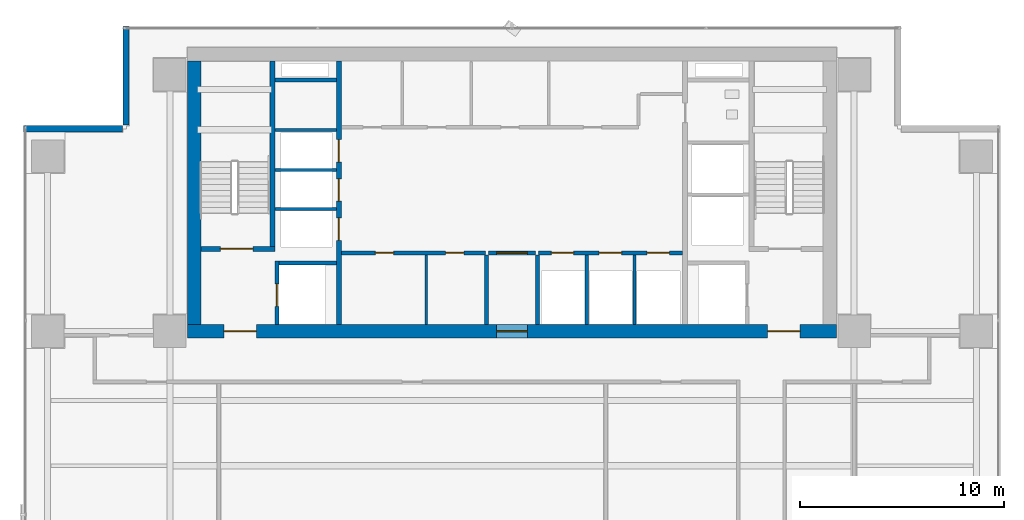
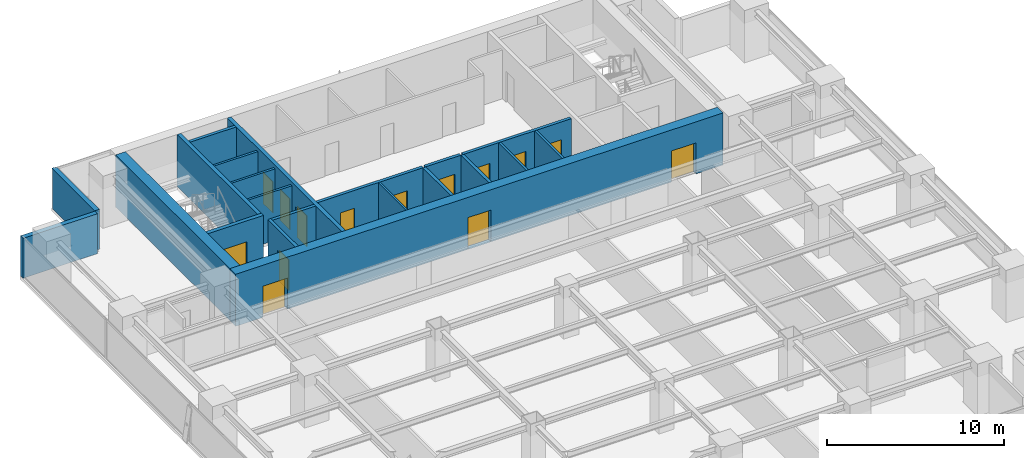
# One storey, part 21 of 27: 21 walls, 14 doors, 14 openings.
"""IFC4 building model written with IfcOpenShell, lengths in metres."""

from ifc_helpers import new_model, si_unit, direction, frame, frame_2d, origin, place, context, subcontext, project, spatial, rectangle, extrude, source, transform, mapped, material, layer, layer_set, type_object, element, fill, save


model = new_model("IFC4")

# Units and contexts
model_context = context("Model", 3, precision=1e-05, world=origin(), true_north=direction((0.0, 1.0)))
body_context = subcontext(model_context, "Body", "Model", "MODEL_VIEW")
ifc_project = project(units=[si_unit("LENGTHUNIT", "METRE"), si_unit("AREAUNIT", "SQUARE_METRE"), si_unit("VOLUMEUNIT", "CUBIC_METRE"), si_unit("PLANEANGLEUNIT", "RADIAN"), si_unit("MASSUNIT", "GRAM", prefix="KILO")], contexts=[model_context])

# Site, building, storey
site_placement = place(None, origin())
site = spatial("IfcSite", under=ifc_project, at=site_placement, CompositionType="ELEMENT")
building_placement = place(site_placement, origin())
building = spatial("IfcBuilding", under=site, at=building_placement, Name="Sumidabori Civic Tower", CompositionType="ELEMENT")
storey_placement = place(building_placement, frame((0.0, 0.0, 164.0)))
storey = spatial("IfcBuildingStorey", under=building, at=storey_placement, Name="L42", CompositionType="ELEMENT", Elevation=164.0)

# Walls
ifc_material_1 = material(Name="Concrete C50/60", Category="concrete")
ifc_layer_1 = layer(ifc_material_1, 0.199951171875, Name="Concrete C50/60")
ifc_layer_set_1 = layer_set([ifc_layer_1], Name="Concrete C50/60")
wall_type_1 = type_object("IfcWallType", Name="WL-SHAFT-200", PredefinedType="SHEAR", material=ifc_layer_set_1)
shared_shape_1 = source(origin(), body_context, "Body", "SweptSolid", [
    extrude(rectangle(XDim=2.824951171875, YDim=0.199951171875, at=frame_2d((1.41259765625, 0.0))), origin(), (0.0, 0.0, 1.0), 3.60009765625),
])
wall_1_placement = place(storey_placement, frame((-11.449951171875, 13.550048828125, 0.0), z_axis=(0.0, 0.0, 1.0), x_axis=(1.0, 0.0, 0.0)))
element("IfcWall", 1, at=wall_1_placement, inside=storey, type_object=wall_type_1, Name="Core Shear Wall L42 EL1-N", PredefinedType="SHEAR", context=body_context, shape_type="MappedRepresentation", body=[
    mapped(shared_shape_1, transform((0.0, 0.0, 0.0), x_axis=(1.0, 0.0, 0.0), y_axis=(0.0, 1.0, 0.0), z_axis=(0.0, 0.0, 1.0), scale=1.0)),
])
shared_shape_2 = source(origin(), body_context, "Body", "SweptSolid", [
    extrude(rectangle(XDim=3.02001953125, YDim=0.199951171875, at=frame_2d((1.510009765625, 0.0))), origin(), (0.0, 0.0, 1.0), 3.60009765625),
])
wall_2_placement = place(storey_placement, frame((-11.64501953125, 22.550048828125, 0.0), z_axis=(0.0, 0.0, 1.0), x_axis=(1.0, 0.0, 0.0)))
element("IfcWall", 2, at=wall_2_placement, inside=storey, type_object=wall_type_1, Name="Core Shear Wall L42 RIS1-S", PredefinedType="SHEAR", context=body_context, shape_type="MappedRepresentation", body=[
    mapped(shared_shape_2, transform((0.0, 0.0, 0.0), x_axis=(1.0, 0.0, 0.0), y_axis=(0.0, 1.0, 0.0), z_axis=(0.0, 0.0, 1.0), scale=1.0)),
])

# Wall, openings, doors
ifc_material_2 = material(Name="Concrete C60/75", Category="concrete")
ifc_layer_2 = layer(ifc_material_2, 0.64990234375, Name="Concrete C60/75")
ifc_layer_set_2 = layer_set([ifc_layer_2], Name="Concrete C60/75")
wall_type_2 = type_object("IfcWallType", Name="WL-CORE-650", PredefinedType="SHEAR", material=ifc_layer_set_2)
shared_shape_3 = source(origin(), body_context, "Body", "SweptSolid", [
    extrude(rectangle(XDim=31.85009765625, YDim=0.64990234375, at=frame_2d((15.925048828125, 0.0))), origin(), (0.0, 0.0, 1.0), 3.60009765625),
])
wall_3_placement = place(storey_placement, frame((-15.925048828125, 10.199951171875, 0.0), z_axis=(0.0, 0.0, 1.0), x_axis=(1.0, 0.0, 0.0)))
wall_3 = element("IfcWall", 3, at=wall_3_placement, inside=storey, type_object=wall_type_2, Name="Core Shear Wall L42 S", PredefinedType="SHEAR", context=body_context, shape_type="MappedRepresentation", body=[
    mapped(shared_shape_3, transform((0.0, 0.0, 0.0), x_axis=(1.0, 0.0, 0.0), y_axis=(0.0, 1.0, 0.0), z_axis=(0.0, 0.0, 1.0), scale=1.0)),
])
opening_1_placement = place(wall_3_placement, frame((1.77490234375, 0.0, 0.0)))
opening_1 = element("IfcOpeningElement", 4, at=opening_1_placement, cuts=wall_3, Name="Opening DR-FD4", PredefinedType="OPENING", context=body_context, shape_type="SweptSolid", body=[
    extrude(rectangle(XDim=1.60009765625, YDim=2.14990234375, at=frame_2d((0.800048828125, 1.074951171875))), frame((0.0, 0.3369140625, 0.0), z_axis=(0.0, -1.0, 0.0), x_axis=(1.0, 0.0, 0.0)), (0.0, 0.0, 1.0), 0.673828125),
])
opening_2_placement = place(wall_3_placement, frame((28.47509765625, 0.0, 0.0)))
opening_2 = element("IfcOpeningElement", 5, at=opening_2_placement, cuts=wall_3, Name="Opening DR-FD4", PredefinedType="OPENING", context=body_context, shape_type="SweptSolid", body=[
    extrude(rectangle(XDim=1.60009765625, YDim=2.14990234375, at=frame_2d((0.800048828125, 1.074951171875))), frame((0.0, 0.3369140625, 0.0), z_axis=(0.0, -1.0, 0.0), x_axis=(1.0, 0.0, 0.0)), (0.0, 0.0, 1.0), 0.673828125),
])
opening_3_placement = place(wall_3_placement, frame((15.175048828125, 0.0, 0.0)))
opening_3 = element("IfcOpeningElement", 6, at=opening_3_placement, cuts=wall_3, Name="Opening DR-FD3", PredefinedType="OPENING", context=body_context, shape_type="SweptSolid", body=[
    extrude(rectangle(XDim=1.5, YDim=2.199951171875, at=frame_2d((0.75, 1.10009765625))), frame((0.0, 0.3369140625, 0.0), z_axis=(0.0, -1.0, 0.0), x_axis=(1.0, 0.0, 0.0)), (0.0, 0.0, 1.0), 0.673828125),
])
ifc_material_3 = material(Name="Steel SN490", Category="steel")
door_type_1 = type_object("IfcDoorType", Name="DR-FD4", OperationType="DOUBLE_DOOR_SINGLE_SWING", PredefinedType="DOOR", material=ifc_material_3)
shared_shape_4 = source(origin(), body_context, "Body", "SweptSolid", [
    extrude(rectangle(XDim=1.60009765625, YDim=2.14990234375, at=frame_2d((0.800048828125, 1.074951171875))), frame((0.0, 0.02490234375, 0.0), z_axis=(0.0, -1.0, 0.0), x_axis=(1.0, 0.0, 0.0)), (0.0, 0.0, 1.0), 0.050048828125),
])
door_1_placement = place(opening_1_placement, origin())
door_1 = element("IfcDoor", 7, at=door_1_placement, inside=storey, type_object=door_type_1, Name="Door DR:L42:ELOB-W", OperationType="DOUBLE_DOOR_SINGLE_SWING", OverallHeight=2.14990234375, OverallWidth=1.60009765625, PredefinedType="DOOR", context=body_context, shape_type="MappedRepresentation", body=[
    mapped(shared_shape_4, transform((0.0, 0.0, 0.0), x_axis=(1.0, 0.0, 0.0), y_axis=(0.0, 1.0, 0.0), z_axis=(0.0, 0.0, 1.0), scale=1.0)),
])
fill(opening_1, door_1)
door_2_placement = place(opening_2_placement, origin())
door_2 = element("IfcDoor", 8, at=door_2_placement, inside=storey, type_object=door_type_1, Name="Door DR:L42:ELOB-E", OperationType="DOUBLE_DOOR_SINGLE_SWING", OverallHeight=2.14990234375, OverallWidth=1.60009765625, PredefinedType="DOOR", context=body_context, shape_type="MappedRepresentation", body=[
    mapped(shared_shape_4, transform((0.0, 0.0, 0.0), x_axis=(1.0, 0.0, 0.0), y_axis=(0.0, 1.0, 0.0), z_axis=(0.0, 0.0, 1.0), scale=1.0)),
])
fill(opening_2, door_2)
door_type_2 = type_object("IfcDoorType", Name="DR-FD-DBL", OperationType="DOUBLE_DOOR_SINGLE_SWING", PredefinedType="DOOR", material=ifc_material_3)
shared_shape_5 = source(origin(), body_context, "Body", "SweptSolid", [
    extrude(rectangle(XDim=1.5, YDim=2.199951171875, at=frame_2d((0.75, 1.10009765625))), frame((0.0, 0.02490234375, 0.0), z_axis=(0.0, -1.0, 0.0), x_axis=(1.0, 0.0, 0.0)), (0.0, 0.0, 1.0), 0.050048828125),
])
door_3_placement = place(opening_3_placement, origin())
door_3 = element("IfcDoor", 9, at=door_3_placement, inside=storey, type_object=door_type_2, Name="Door DR:L42:THROAT-OUT", OperationType="DOUBLE_DOOR_SINGLE_SWING", OverallHeight=2.199951171875, OverallWidth=1.5, PredefinedType="DOOR", context=body_context, shape_type="MappedRepresentation", body=[
    mapped(shared_shape_5, transform((0.0, 0.0, 0.0), x_axis=(1.0, 0.0, 0.0), y_axis=(0.0, 1.0, 0.0), z_axis=(0.0, 0.0, 1.0), scale=1.0)),
])
fill(opening_3, door_3)

# Wall
shared_shape_6 = source(origin(), body_context, "Body", "SweptSolid", [
    extrude(rectangle(XDim=12.9501953125, YDim=0.64990234375, at=frame_2d((6.47509765625, 0.0))), origin(), (0.0, 0.0, 1.0), 3.60009765625),
])
wall_4_placement = place(storey_placement, frame((-15.60009765625, 10.52490234375, 0.0), z_axis=(0.0, 0.0, 1.0), x_axis=(0.0, 1.0, 0.0)))
element("IfcWall", 10, at=wall_4_placement, inside=storey, type_object=wall_type_2, Name="Core Shear Wall L42 W", PredefinedType="SHEAR", context=body_context, shape_type="MappedRepresentation", body=[
    mapped(shared_shape_6, transform((0.0, 0.0, 0.0), x_axis=(1.0, 0.0, 0.0), y_axis=(0.0, 1.0, 0.0), z_axis=(0.0, 0.0, 1.0), scale=1.0)),
])

# Wall, openings, doors
ifc_layer_3 = layer(ifc_material_1, 0.25, Name="Concrete C50/60")
ifc_layer_set_3 = layer_set([ifc_layer_3], Name="Concrete C50/60")
wall_type_3 = type_object("IfcWallType", Name="WL-SHAFT-250", PredefinedType="SHEAR", material=ifc_layer_set_3)
shared_shape_7 = source(origin(), body_context, "Body", "SweptSolid", [
    extrude(rectangle(XDim=12.9501953125, YDim=0.25, at=frame_2d((6.47509765625, 0.0))), origin(), (0.0, 0.0, 1.0), 3.60009765625),
])
wall_5_placement = place(storey_placement, frame((-8.5, 10.52490234375, 0.0), z_axis=(0.0, 0.0, 1.0), x_axis=(0.0, 1.0, 0.0)))
wall_5 = element("IfcWall", 11, at=wall_5_placement, inside=storey, type_object=wall_type_3, Name="Core Shear Wall L42 WEB-W", PredefinedType="SHEAR", context=body_context, shape_type="MappedRepresentation", body=[
    mapped(shared_shape_7, transform((0.0, 0.0, 0.0), x_axis=(1.0, 0.0, 0.0), y_axis=(0.0, 1.0, 0.0), z_axis=(0.0, 0.0, 1.0), scale=1.0)),
])
opening_4_placement = place(wall_5_placement, frame((4.14501953125, 0.0, 0.0)))
opening_4 = element("IfcOpeningElement", 12, at=opening_4_placement, cuts=wall_5, Name="Opening LD-1", PredefinedType="OPENING", context=body_context, shape_type="SweptSolid", body=[
    extrude(rectangle(XDim=1.10009765625, YDim=2.14990234375, at=frame_2d((0.550048828125, 1.074951171875))), frame((0.0, 0.136962890625, 0.0), z_axis=(0.0, -1.0, 0.0), x_axis=(1.0, 0.0, 0.0)), (0.0, 0.0, 1.0), 0.27392578125),
])
opening_5_placement = place(wall_5_placement, frame((6.06494140625, 0.0, 0.0)))
opening_5 = element("IfcOpeningElement", 13, at=opening_5_placement, cuts=wall_5, Name="Opening LD-1", PredefinedType="OPENING", context=body_context, shape_type="SweptSolid", body=[
    extrude(rectangle(XDim=1.10009765625, YDim=2.14990234375, at=frame_2d((0.550048828125, 1.074951171875))), frame((0.0, 0.136962890625, 0.0), z_axis=(0.0, -1.0, 0.0), x_axis=(1.0, 0.0, 0.0)), (0.0, 0.0, 1.0), 0.27392578125),
])
opening_6_placement = place(wall_5_placement, frame((7.985107421875, 0.0, 0.0)))
opening_6 = element("IfcOpeningElement", 14, at=opening_6_placement, cuts=wall_5, Name="Opening LD-1", PredefinedType="OPENING", context=body_context, shape_type="SweptSolid", body=[
    extrude(rectangle(XDim=1.10009765625, YDim=2.14990234375, at=frame_2d((0.550048828125, 1.074951171875))), frame((0.0, 0.136962890625, 0.0), z_axis=(0.0, -1.0, 0.0), x_axis=(1.0, 0.0, 0.0)), (0.0, 0.0, 1.0), 0.27392578125),
])
ifc_material_4 = material(Name="Stainless Steel Hairline Finish", Category="steel")
door_type_3 = type_object("IfcDoorType", Name="DR-LD1", OperationType="DOUBLE_DOOR_SLIDING", PredefinedType="DOOR", material=ifc_material_4)
shared_shape_8 = source(origin(), body_context, "Body", "SweptSolid", [
    extrude(rectangle(XDim=1.10009765625, YDim=2.14990234375, at=frame_2d((0.550048828125, 1.074951171875))), frame((0.0, 0.02490234375, 0.0), z_axis=(0.0, -1.0, 0.0), x_axis=(1.0, 0.0, 0.0)), (0.0, 0.0, 1.0), 0.050048828125),
])
door_4_placement = place(opening_4_placement, origin())
door_4 = element("IfcDoor", 15, at=door_4_placement, inside=storey, type_object=door_type_3, Name="Door DR:L42:LD-PLH1", OperationType="DOUBLE_DOOR_SLIDING", OverallHeight=2.14990234375, OverallWidth=1.10009765625, PredefinedType="DOOR", context=body_context, shape_type="MappedRepresentation", body=[
    mapped(shared_shape_8, transform((0.0, 0.0, 0.0), x_axis=(1.0, 0.0, 0.0), y_axis=(0.0, 1.0, 0.0), z_axis=(0.0, 0.0, 1.0), scale=1.0)),
])
fill(opening_4, door_4)
door_5_placement = place(opening_5_placement, origin())
door_5 = element("IfcDoor", 16, at=door_5_placement, inside=storey, type_object=door_type_3, Name="Door DR:L42:LD-PLH2", OperationType="DOUBLE_DOOR_SLIDING", OverallHeight=2.14990234375, OverallWidth=1.10009765625, PredefinedType="DOOR", context=body_context, shape_type="MappedRepresentation", body=[
    mapped(shared_shape_8, transform((0.0, 0.0, 0.0), x_axis=(1.0, 0.0, 0.0), y_axis=(0.0, 1.0, 0.0), z_axis=(0.0, 0.0, 1.0), scale=1.0)),
])
fill(opening_5, door_5)
door_6_placement = place(opening_6_placement, origin())
door_6 = element("IfcDoor", 17, at=door_6_placement, inside=storey, type_object=door_type_3, Name="Door DR:L42:LD-PLH3", OperationType="DOUBLE_DOOR_SLIDING", OverallHeight=2.14990234375, OverallWidth=1.10009765625, PredefinedType="DOOR", context=body_context, shape_type="MappedRepresentation", body=[
    mapped(shared_shape_8, transform((0.0, 0.0, 0.0), x_axis=(1.0, 0.0, 0.0), y_axis=(0.0, 1.0, 0.0), z_axis=(0.0, 0.0, 1.0), scale=1.0)),
])
fill(opening_6, door_6)

# Wall, opening, door
shared_shape_9 = source(origin(), body_context, "Body", "SweptSolid", [
    extrude(rectangle(XDim=3.6298828125, YDim=0.25, at=frame_2d((1.81494140625, 0.0))), origin(), (0.0, 0.0, 1.0), 3.60009765625),
])
wall_6_placement = place(storey_placement, frame((-15.27490234375, 14.25, 0.0), z_axis=(0.0, 0.0, 1.0), x_axis=(1.0, 0.0, 0.0)))
wall_6 = element("IfcWall", 18, at=wall_6_placement, inside=storey, type_object=wall_type_3, Name="Core Shear Wall L42 ST1-S", PredefinedType="SHEAR", context=body_context, shape_type="MappedRepresentation", body=[
    mapped(shared_shape_9, transform((0.0, 0.0, 0.0), x_axis=(1.0, 0.0, 0.0), y_axis=(0.0, 1.0, 0.0), z_axis=(0.0, 0.0, 1.0), scale=1.0)),
])
opening_7_placement = place(wall_6_placement, frame((0.949951171875, 0.0, 0.0)))
opening_7 = element("IfcOpeningElement", 19, at=opening_7_placement, cuts=wall_6, Name="Opening DR-FD4", PredefinedType="OPENING", context=body_context, shape_type="SweptSolid", body=[
    extrude(rectangle(XDim=1.60009765625, YDim=2.14990234375, at=frame_2d((0.800048828125, 1.074951171875))), frame((0.0, 0.136962890625, 0.0), z_axis=(0.0, -1.0, 0.0), x_axis=(1.0, 0.0, 0.0)), (0.0, 0.0, 1.0), 0.27392578125),
])
door_7_placement = place(opening_7_placement, origin())
door_7 = element("IfcDoor", 20, at=door_7_placement, inside=storey, type_object=door_type_1, Name="Door DR:L42:ST1", OperationType="DOUBLE_DOOR_SINGLE_SWING", OverallHeight=2.14990234375, OverallWidth=1.60009765625, PredefinedType="DOOR", context=body_context, shape_type="MappedRepresentation", body=[
    mapped(shared_shape_4, transform((0.0, 0.0, 0.0), x_axis=(1.0, 0.0, 0.0), y_axis=(0.0, 1.0, 0.0), z_axis=(0.0, 0.0, 1.0), scale=1.0)),
])
fill(opening_7, door_7)

# Wall
shared_shape_10 = source(origin(), body_context, "Body", "SweptSolid", [
    extrude(rectangle(XDim=9.10009765625, YDim=0.25, at=frame_2d((4.550048828125, 0.0))), origin(), (0.0, 0.0, 1.0), 3.60009765625),
])
wall_7_placement = place(storey_placement, frame((-11.77001953125, 14.375, 0.0), z_axis=(0.0, 0.0, 1.0), x_axis=(0.0, 1.0, 0.0)))
element("IfcWall", 21, at=wall_7_placement, inside=storey, type_object=wall_type_3, Name="Core Shear Wall L42 ST1-E", PredefinedType="SHEAR", context=body_context, shape_type="MappedRepresentation", body=[
    mapped(shared_shape_10, transform((0.0, 0.0, 0.0), x_axis=(1.0, 0.0, 0.0), y_axis=(0.0, 1.0, 0.0), z_axis=(0.0, 0.0, 1.0), scale=1.0)),
])

# Wall, opening, door
shared_shape_11 = source(origin(), body_context, "Body", "SweptSolid", [
    extrude(rectangle(XDim=3.125, YDim=0.199951171875, at=frame_2d((1.5625, 0.0))), origin(), (0.0, 0.0, 1.0), 3.60009765625),
])
wall_8_placement = place(storey_placement, frame((-11.550048828125, 10.52490234375, 0.0), z_axis=(0.0, 0.0, 1.0), x_axis=(0.0, 1.0, 0.0)))
wall_8 = element("IfcWall", 22, at=wall_8_placement, inside=storey, type_object=wall_type_1, Name="Core Shear Wall L42 EL1-W", PredefinedType="SHEAR", context=body_context, shape_type="MappedRepresentation", body=[
    mapped(shared_shape_11, transform((0.0, 0.0, 0.0), x_axis=(1.0, 0.0, 0.0), y_axis=(0.0, 1.0, 0.0), z_axis=(0.0, 0.0, 1.0), scale=1.0)),
])
opening_8_placement = place(wall_8_placement, frame((0.89990234375, 0.0, 0.0)))
opening_8 = element("IfcOpeningElement", 23, at=opening_8_placement, cuts=wall_8, Name="Opening LD-2", PredefinedType="OPENING", context=body_context, shape_type="SweptSolid", body=[
    extrude(rectangle(XDim=1.10009765625, YDim=2.14990234375, at=frame_2d((0.550048828125, 1.074951171875))), frame((0.0, 0.11181640625, 0.0), z_axis=(0.0, -1.0, 0.0), x_axis=(1.0, 0.0, 0.0)), (0.0, 0.0, 1.0), 0.223876953125),
])
door_type_4 = type_object("IfcDoorType", Name="DR-LD2", OperationType="DOUBLE_DOOR_SLIDING", PredefinedType="DOOR", material=ifc_material_4)
door_8_placement = place(opening_8_placement, origin())
door_8 = element("IfcDoor", 24, at=door_8_placement, inside=storey, type_object=door_type_4, Name="Door DR:L42:LD-EL1", OperationType="DOUBLE_DOOR_SLIDING", OverallHeight=2.14990234375, OverallWidth=1.10009765625, PredefinedType="DOOR", context=body_context, shape_type="MappedRepresentation", body=[
    mapped(shared_shape_8, transform((0.0, 0.0, 0.0), x_axis=(1.0, 0.0, 0.0), y_axis=(0.0, 1.0, 0.0), z_axis=(0.0, 0.0, 1.0), scale=1.0)),
])
fill(opening_8, door_8)

# Walls
ifc_material_5 = material(Name="Precast concrete C40/50", Category="concrete")
ifc_layer_4 = layer(ifc_material_5, 0.300048828125, Name="Precast concrete C40/50")
ifc_layer_set_4 = layer_set([ifc_layer_4], Name="Precast concrete C40/50")
wall_type_4 = type_object("IfcWallType", Name="WL-EXT-POD300", PredefinedType="STANDARD", material=ifc_layer_set_4)
shared_shape_12 = source(origin(), body_context, "Body", "SweptSolid", [
    extrude(rectangle(XDim=4.85986328125, YDim=0.300048828125, at=frame_2d((2.429931640625, 0.0))), origin(), (0.0, 0.0, 1.0), 2.760009765625),
])
for number, where, z_axis, x_axis, name in (
    (25, (-18.949951171875, 25.179931640625, 0.0), (0.0, 0.0, 1.0), (0.0, -1.0, 0.0), "Notched Corner Spandrel Band L42-08"),
    (26, (-19.1201171875, 20.14990234375, 0.0), (0.0, 0.0, 1.0), (-1.0, 0.0, 0.0), "Notched Corner Spandrel Band L42-09"),
):
    element("IfcWall", number, at=place(storey_placement, frame(where, z_axis=z_axis, x_axis=x_axis)), inside=storey, type_object=wall_type_4, Name=name, PredefinedType="STANDARD", context=body_context, shape_type="MappedRepresentation", body=[
        mapped(shared_shape_12, transform((0.0, 0.0, 0.0), x_axis=(1.0, 0.0, 0.0), y_axis=(0.0, 1.0, 0.0), z_axis=(0.0, 0.0, 1.0), scale=1.0)),
    ])
ifc_material_6 = material(Name="Gypsum Plasterboard Acoustic Partition")
ifc_layer_5 = layer(ifc_material_6, 0.14990234375, Name="Gypsum Plasterboard Acoustic Partition")
ifc_layer_set_5 = layer_set([ifc_layer_5], Name="Gypsum Plasterboard Acoustic Partition")
wall_type_5 = type_object("IfcWallType", Name="WL-PART-150", PredefinedType="PARTITIONING", material=ifc_layer_set_5)
shared_shape_13 = source(origin(), body_context, "Body", "SweptSolid", [
    extrude(rectangle(XDim=3.010009765625, YDim=0.14990234375, at=frame_2d((1.5048828125, 0.0))), origin(), (0.0, 0.0, 1.0), 3.3798828125),
])
for number, where, z_axis, x_axis, name in (
    (27, (-11.639892578125, 16.199951171875, 0.0), (0.0, 0.0, 1.0), (1.0, 0.0, 0.0), "Interior Partition WL:L42:DIV-PLH1"),
    (28, (-11.639892578125, 18.1201171875, 0.0), (0.0, 0.0, 1.0), (1.0, 0.0, 0.0), "Interior Partition WL:L42:DIV-PLH2"),
    (29, (-11.639892578125, 20.080078125, 0.0), (0.0, 0.0, 1.0), (1.0, 0.0, 0.0), "Interior Partition WL:L42:DIV-PLH3"),
):
    element("IfcWall", number, at=place(storey_placement, frame(where, z_axis=z_axis, x_axis=x_axis)), inside=storey, type_object=wall_type_5, Name=name, PredefinedType="PARTITIONING", context=body_context, shape_type="MappedRepresentation", body=[
        mapped(shared_shape_13, transform((0.0, 0.0, 0.0), x_axis=(1.0, 0.0, 0.0), y_axis=(0.0, 1.0, 0.0), z_axis=(0.0, 0.0, 1.0), scale=1.0)),
    ])

# Wall, openings, doors
ifc_material_7 = material(Name="Gypsum Plasterboard Fire Partition")
ifc_layer_6 = layer(ifc_material_7, 0.199951171875, Name="Gypsum Plasterboard Fire Partition")
ifc_layer_set_6 = layer_set([ifc_layer_6], Name="Gypsum Plasterboard Fire Partition")
wall_type_6 = type_object("IfcWallType", Name="WL-PART-FIRE", PredefinedType="PARTITIONING", material=ifc_layer_set_6)
shared_shape_14 = source(origin(), body_context, "Body", "SweptSolid", [
    extrude(rectangle(XDim=7.070068359375, YDim=0.199951171875, at=frame_2d((3.53515625, 0.0))), origin(), (0.0, 0.0, 1.0), 3.3798828125),
])
wall_9_placement = place(storey_placement, frame((-8.3701171875, 14.050048828125, 0.0), z_axis=(0.0, 0.0, 1.0), x_axis=(1.0, 0.0, 0.0)))
wall_9 = element("IfcWall", 30, at=wall_9_placement, inside=storey, type_object=wall_type_6, Name="Interior Partition WL:L42:CBAND-SW", PredefinedType="PARTITIONING", context=body_context, shape_type="MappedRepresentation", body=[
    mapped(shared_shape_14, transform((0.0, 0.0, 0.0), x_axis=(1.0, 0.0, 0.0), y_axis=(0.0, 1.0, 0.0), z_axis=(0.0, 0.0, 1.0), scale=1.0)),
])
opening_9_placement = place(wall_9_placement, frame((1.659912109375, 0.0, 0.0)))
opening_9 = element("IfcOpeningElement", 31, at=opening_9_placement, cuts=wall_9, Name="Opening DR-1", PredefinedType="OPENING", context=body_context, shape_type="SweptSolid", body=[
    extrude(rectangle(XDim=0.89990234375, YDim=2.14990234375, at=frame_2d((0.449951171875, 1.074951171875))), frame((0.0, 0.11181640625, 0.0), z_axis=(0.0, -1.0, 0.0), x_axis=(1.0, 0.0, 0.0)), (0.0, 0.0, 1.0), 0.223876953125),
])
opening_10_placement = place(wall_9_placement, frame((5.110107421875, 0.0, 0.0)))
opening_10 = element("IfcOpeningElement", 32, at=opening_10_placement, cuts=wall_9, Name="Opening DR-1", PredefinedType="OPENING", context=body_context, shape_type="SweptSolid", body=[
    extrude(rectangle(XDim=0.89990234375, YDim=2.14990234375, at=frame_2d((0.449951171875, 1.074951171875))), frame((0.0, 0.11181640625, 0.0), z_axis=(0.0, -1.0, 0.0), x_axis=(1.0, 0.0, 0.0)), (0.0, 0.0, 1.0), 0.223876953125),
])
ifc_material_8 = material(Name="Japanese Hinoki Timber", Category="wood")
door_type_5 = type_object("IfcDoorType", Name="DR-INT-900", OperationType="NOTDEFINED", PredefinedType="DOOR", material=ifc_material_8)
shared_shape_15 = source(origin(), body_context, "Body", "SweptSolid", [
    extrude(rectangle(XDim=0.89990234375, YDim=2.14990234375, at=frame_2d((0.449951171875, 1.074951171875))), frame((0.0, 0.02490234375, 0.0), z_axis=(0.0, -1.0, 0.0), x_axis=(1.0, 0.0, 0.0)), (0.0, 0.0, 1.0), 0.050048828125),
])
door_9_placement = place(opening_9_placement, origin())
door_9 = element("IfcDoor", 33, at=door_9_placement, inside=storey, type_object=door_type_5, Name="Door DR:L42:REC-B1A", OperationType="SINGLE_SWING_LEFT", OverallHeight=2.14990234375, OverallWidth=0.89990234375, PredefinedType="DOOR", context=body_context, shape_type="MappedRepresentation", body=[
    mapped(shared_shape_15, transform((0.0, 0.0, 0.0), x_axis=(1.0, 0.0, 0.0), y_axis=(0.0, 1.0, 0.0), z_axis=(0.0, 0.0, 1.0), scale=1.0)),
])
fill(opening_9, door_9)
door_10_placement = place(opening_10_placement, origin())
door_10 = element("IfcDoor", 34, at=door_10_placement, inside=storey, type_object=door_type_5, Name="Door DR:L42:REC-B1B", OperationType="SINGLE_SWING_RIGHT", OverallHeight=2.14990234375, OverallWidth=0.89990234375, PredefinedType="DOOR", context=body_context, shape_type="MappedRepresentation", body=[
    mapped(shared_shape_15, transform((0.0, 0.0, 0.0), x_axis=(1.0, 0.0, 0.0), y_axis=(0.0, 1.0, 0.0), z_axis=(0.0, 0.0, 1.0), scale=1.0)),
])
fill(opening_10, door_10)

wall_10_placement = place(storey_placement, frame((1.300048828125, 14.050048828125, 0.0), z_axis=(0.0, 0.0, 1.0), x_axis=(1.0, 0.0, 0.0)))
wall_10 = element("IfcWall", 35, at=wall_10_placement, inside=storey, type_object=wall_type_6, Name="Interior Partition WL:L42:CBAND-SE", PredefinedType="PARTITIONING", context=body_context, shape_type="MappedRepresentation", body=[
    mapped(shared_shape_14, transform((0.0, 0.0, 0.0), x_axis=(1.0, 0.0, 0.0), y_axis=(0.0, 1.0, 0.0), z_axis=(0.0, 0.0, 1.0), scale=1.0)),
])
opening_11_placement = place(wall_10_placement, frame((0.6298828125, 0.0, 0.0)))
opening_11 = element("IfcOpeningElement", 36, at=opening_11_placement, cuts=wall_10, Name="Opening LD-1", PredefinedType="OPENING", context=body_context, shape_type="SweptSolid", body=[
    extrude(rectangle(XDim=1.10009765625, YDim=2.14990234375, at=frame_2d((0.550048828125, 1.074951171875))), frame((0.0, 0.11181640625, 0.0), z_axis=(0.0, -1.0, 0.0), x_axis=(1.0, 0.0, 0.0)), (0.0, 0.0, 1.0), 0.223876953125),
])
opening_12_placement = place(wall_10_placement, frame((2.97998046875, 0.0, 0.0)))
opening_12 = element("IfcOpeningElement", 37, at=opening_12_placement, cuts=wall_10, Name="Opening LD-1", PredefinedType="OPENING", context=body_context, shape_type="SweptSolid", body=[
    extrude(rectangle(XDim=1.10009765625, YDim=2.14990234375, at=frame_2d((0.550048828125, 1.074951171875))), frame((0.0, 0.11181640625, 0.0), z_axis=(0.0, -1.0, 0.0), x_axis=(1.0, 0.0, 0.0)), (0.0, 0.0, 1.0), 0.223876953125),
])
opening_13_placement = place(wall_10_placement, frame((5.330078125, 0.0, 0.0)))
opening_13 = element("IfcOpeningElement", 38, at=opening_13_placement, cuts=wall_10, Name="Opening LD-1", PredefinedType="OPENING", context=body_context, shape_type="SweptSolid", body=[
    extrude(rectangle(XDim=1.10009765625, YDim=2.14990234375, at=frame_2d((0.550048828125, 1.074951171875))), frame((0.0, 0.11181640625, 0.0), z_axis=(0.0, -1.0, 0.0), x_axis=(1.0, 0.0, 0.0)), (0.0, 0.0, 1.0), 0.223876953125),
])
door_11_placement = place(opening_11_placement, origin())
door_11 = element("IfcDoor", 39, at=door_11_placement, inside=storey, type_object=door_type_3, Name="Door DR:L42:LD-PLM1", OperationType="DOUBLE_DOOR_SLIDING", OverallHeight=2.14990234375, OverallWidth=1.10009765625, PredefinedType="DOOR", context=body_context, shape_type="MappedRepresentation", body=[
    mapped(shared_shape_8, transform((0.0, 0.0, 0.0), x_axis=(1.0, 0.0, 0.0), y_axis=(0.0, 1.0, 0.0), z_axis=(0.0, 0.0, 1.0), scale=1.0)),
])
fill(opening_11, door_11)
door_12_placement = place(opening_12_placement, origin())
door_12 = element("IfcDoor", 40, at=door_12_placement, inside=storey, type_object=door_type_3, Name="Door DR:L42:LD-PLM2", OperationType="DOUBLE_DOOR_SLIDING", OverallHeight=2.14990234375, OverallWidth=1.10009765625, PredefinedType="DOOR", context=body_context, shape_type="MappedRepresentation", body=[
    mapped(shared_shape_8, transform((0.0, 0.0, 0.0), x_axis=(1.0, 0.0, 0.0), y_axis=(0.0, 1.0, 0.0), z_axis=(0.0, 0.0, 1.0), scale=1.0)),
])
fill(opening_12, door_12)
door_13_placement = place(opening_13_placement, origin())
door_13 = element("IfcDoor", 41, at=door_13_placement, inside=storey, type_object=door_type_3, Name="Door DR:L42:LD-PLM3", OperationType="DOUBLE_DOOR_SLIDING", OverallHeight=2.14990234375, OverallWidth=1.10009765625, PredefinedType="DOOR", context=body_context, shape_type="MappedRepresentation", body=[
    mapped(shared_shape_8, transform((0.0, 0.0, 0.0), x_axis=(1.0, 0.0, 0.0), y_axis=(0.0, 1.0, 0.0), z_axis=(0.0, 0.0, 1.0), scale=1.0)),
])
fill(opening_13, door_13)

# Walls
shared_shape_16 = source(origin(), body_context, "Body", "SweptSolid", [
    extrude(rectangle(XDim=3.4150390625, YDim=0.199951171875, at=frame_2d((1.70751953125, 0.0))), origin(), (0.0, 0.0, 1.0), 3.3798828125),
])
for number, where, z_axis, x_axis, name in (
    (42, (-1.25, 10.52490234375, 0.0), (0.0, 0.0, 1.0), (0.0, 1.0, 0.0), "Interior Partition WL:L42:THROAT-W"),
    (43, (1.25, 10.52490234375, 0.0), (0.0, 0.0, 1.0), (0.0, 1.0, 0.0), "Interior Partition WL:L42:THROAT-E"),
):
    element("IfcWall", number, at=place(storey_placement, frame(where, z_axis=z_axis, x_axis=x_axis)), inside=storey, type_object=wall_type_6, Name=name, PredefinedType="PARTITIONING", context=body_context, shape_type="MappedRepresentation", body=[
        mapped(shared_shape_16, transform((0.0, 0.0, 0.0), x_axis=(1.0, 0.0, 0.0), y_axis=(0.0, 1.0, 0.0), z_axis=(0.0, 0.0, 1.0), scale=1.0)),
    ])

# Wall, opening, door
shared_shape_17 = source(origin(), body_context, "Body", "SweptSolid", [
    extrude(rectangle(XDim=2.2998046875, YDim=0.199951171875, at=frame_2d((1.14990234375, 0.0))), origin(), (0.0, 0.0, 1.0), 3.3798828125),
])
wall_11_placement = place(storey_placement, frame((-1.14990234375, 14.050048828125, 0.0), z_axis=(0.0, 0.0, 1.0), x_axis=(1.0, 0.0, 0.0)))
wall_11 = element("IfcWall", 44, at=wall_11_placement, inside=storey, type_object=wall_type_6, Name="Interior Partition WL:L42:THROAT-N", PredefinedType="PARTITIONING", context=body_context, shape_type="MappedRepresentation", body=[
    mapped(shared_shape_17, transform((0.0, 0.0, 0.0), x_axis=(1.0, 0.0, 0.0), y_axis=(0.0, 1.0, 0.0), z_axis=(0.0, 0.0, 1.0), scale=1.0)),
])
opening_14_placement = place(wall_11_placement, frame((0.39990234375, 0.0, 0.0)))
opening_14 = element("IfcOpeningElement", 45, at=opening_14_placement, cuts=wall_11, Name="Opening DR-FD3", PredefinedType="OPENING", context=body_context, shape_type="SweptSolid", body=[
    extrude(rectangle(XDim=1.5, YDim=2.199951171875, at=frame_2d((0.75, 1.10009765625))), frame((0.0, 0.11181640625, 0.0), z_axis=(0.0, -1.0, 0.0), x_axis=(1.0, 0.0, 0.0)), (0.0, 0.0, 1.0), 0.223876953125),
])
door_14_placement = place(opening_14_placement, origin())
door_14 = element("IfcDoor", 46, at=door_14_placement, inside=storey, type_object=door_type_2, Name="Door DR:L42:THROAT-IN", OperationType="DOUBLE_DOOR_SINGLE_SWING", OverallHeight=2.199951171875, OverallWidth=1.5, PredefinedType="DOOR", context=body_context, shape_type="MappedRepresentation", body=[
    mapped(shared_shape_5, transform((0.0, 0.0, 0.0), x_axis=(1.0, 0.0, 0.0), y_axis=(0.0, 1.0, 0.0), z_axis=(0.0, 0.0, 1.0), scale=1.0)),
])
fill(opening_14, door_14)

# Walls
shared_shape_18 = source(origin(), body_context, "Body", "SweptSolid", [
    extrude(rectangle(XDim=3.4150390625, YDim=0.14990234375, at=frame_2d((1.70751953125, 0.0))), origin(), (0.0, 0.0, 1.0), 3.3798828125),
])
for number, where, z_axis, x_axis, name in (
    (47, (3.669921875, 10.52490234375, 0.0), (0.0, 0.0, 1.0), (0.0, 1.0, 0.0), "Interior Partition WL:L42:DIV-PLM1"),
    (48, (6.02001953125, 10.52490234375, 0.0), (0.0, 0.0, 1.0), (0.0, 1.0, 0.0), "Interior Partition WL:L42:DIV-PLM2"),
):
    element("IfcWall", number, at=place(storey_placement, frame(where, z_axis=z_axis, x_axis=x_axis)), inside=storey, type_object=wall_type_5, Name=name, PredefinedType="PARTITIONING", context=body_context, shape_type="MappedRepresentation", body=[
        mapped(shared_shape_18, transform((0.0, 0.0, 0.0), x_axis=(1.0, 0.0, 0.0), y_axis=(0.0, 1.0, 0.0), z_axis=(0.0, 0.0, 1.0), scale=1.0)),
    ])
ifc_layer_7 = layer(ifc_material_6, 0.1201171875, Name="Gypsum Plasterboard Acoustic Partition")
ifc_layer_set_7 = layer_set([ifc_layer_7], Name="Gypsum Plasterboard Acoustic Partition")
wall_type_7 = type_object("IfcWallType", Name="WL-PART-120", PredefinedType="PARTITIONING", material=ifc_layer_set_7)
shared_shape_19 = source(origin(), body_context, "Body", "SweptSolid", [
    extrude(rectangle(XDim=3.4150390625, YDim=0.1201171875, at=frame_2d((1.70751953125, 0.0))), origin(), (0.0, 0.0, 1.0), 3.3798828125),
])
wall_12_placement = place(storey_placement, frame((-4.199951171875, 10.52490234375, 0.0), z_axis=(0.0, 0.0, 1.0), x_axis=(0.0, 1.0, 0.0)))
element("IfcWall", 49, at=wall_12_placement, inside=storey, type_object=wall_type_7, Name="Interior Partition WL:L42:REC-B1-SP", PredefinedType="PARTITIONING", context=body_context, shape_type="MappedRepresentation", body=[
    mapped(shared_shape_19, transform((0.0, 0.0, 0.0), x_axis=(1.0, 0.0, 0.0), y_axis=(0.0, 1.0, 0.0), z_axis=(0.0, 0.0, 1.0), scale=1.0)),
])

save(model, "model.ifc")
